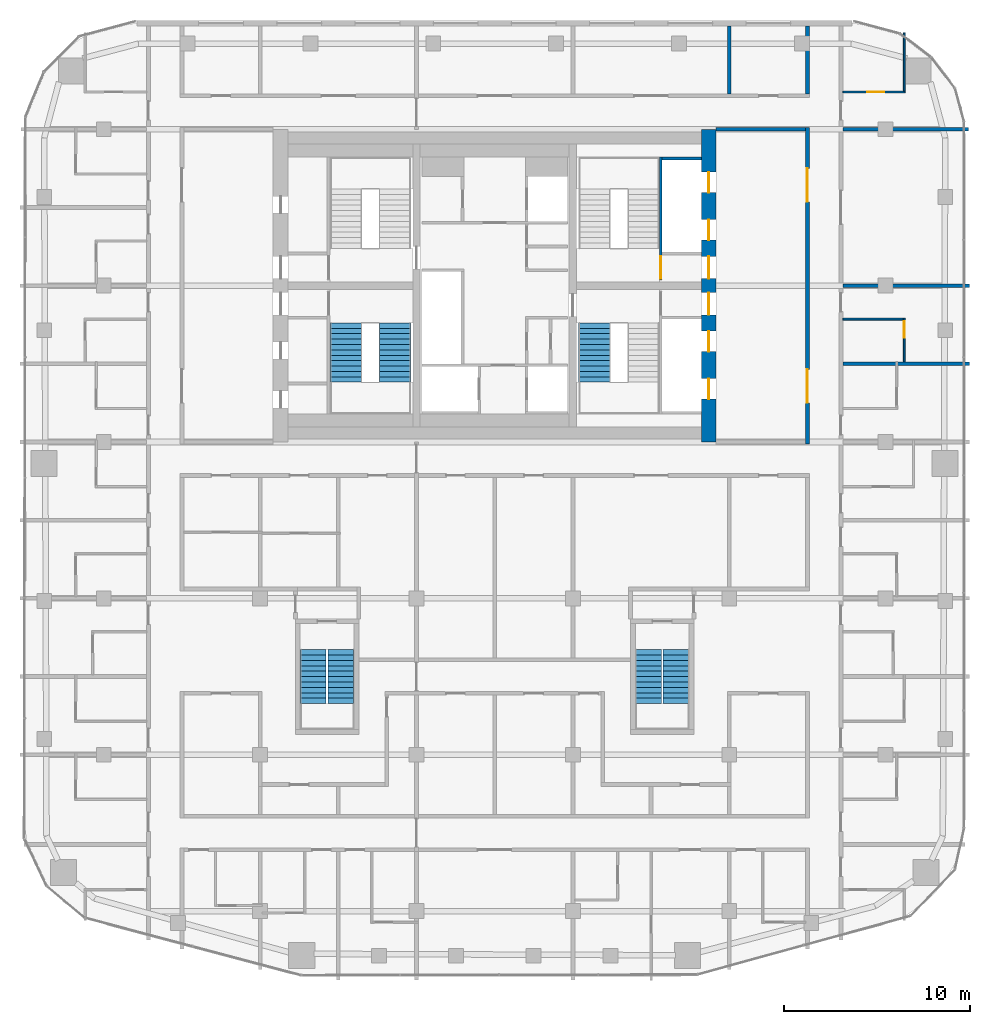
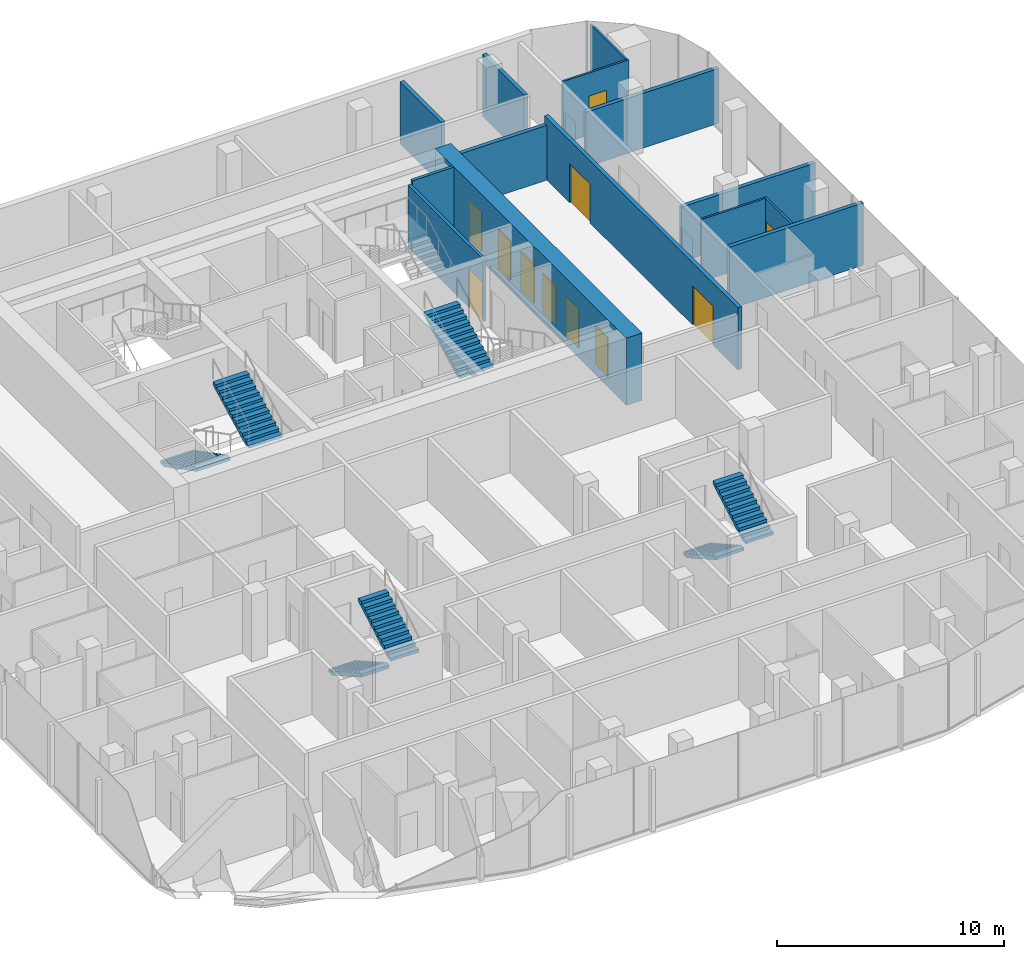
# One storey, part 20 of 22: 14 walls, 11 doors, 7 stair flights, 11 openings, 4 elements without a shape of their own.
"""IFC4 building model written with IfcOpenShell, lengths in metres."""

from ifc_helpers import new_model, si_unit, direction, frame, frame_2d, origin, place, context, subcontext, project, spatial, polyline, rectangle, outline, extrude, material, layer, layer_set, type_object, element, fill, aggregate, save


model = new_model("IFC4")

# Units and contexts
model_context = context("Model", 3, precision=1e-05, world=origin(), true_north=direction((0.0, 1.0)))
body_context = subcontext(model_context, "Body", "Model", "MODEL_VIEW")
ifc_project = project(units=[si_unit("LENGTHUNIT", "METRE"), si_unit("AREAUNIT", "SQUARE_METRE"), si_unit("VOLUMEUNIT", "CUBIC_METRE"), si_unit("PLANEANGLEUNIT", "RADIAN"), si_unit("MASSUNIT", "GRAM", prefix="KILO")], contexts=[model_context])

# Site, building, storey
site_placement = place(None, origin())
site = spatial("IfcSite", under=ifc_project, at=site_placement, CompositionType="ELEMENT")
building_placement = place(site_placement, origin())
building = spatial("IfcBuilding", under=site, at=building_placement, Name="Marenta Gate Hotel Tower", CompositionType="ELEMENT")
storey_placement = place(building_placement, frame((0.0, 0.0, 194.89990234375)))
storey = spatial("IfcBuildingStorey", under=building, at=storey_placement, Name="L44", CompositionType="ELEMENT", Elevation=194.89990234375)

# Wall, openings, doors
ifc_material_1 = material(Name="Concrete blockwork", Category="masonry")
ifc_layer_1 = layer(ifc_material_1, 0.199951171875)
ifc_layer_set_1 = layer_set([ifc_layer_1], Name="Concrete blockwork")
wall_type_1 = type_object("IfcWallType", Name="Core boundary wall 200 REI 180", PredefinedType="PARTITIONING", material=ifc_layer_set_1)
wall_1_placement = place(storey_placement, frame((16.800048828125, -0.10009765625, 0.0), z_axis=(0.0, 0.0, 1.0), x_axis=(0.0, 1.0, 0.0)))
wall_1 = element("IfcWall", 1, at=wall_1_placement, inside=storey, type_object=wall_type_1, Name="L44-CP-BW-E", PredefinedType="PARTITIONING", context=body_context, shape_type="SweptSolid", body=[
    extrude(rectangle(XDim=17.0, YDim=0.199951171875, at=frame_2d((8.5, 0.0))), origin(), (0.0, 0.0, 1.0), 3.340087890625),
])
opening_1_placement = place(wall_1_placement, frame((2.199951171875, 0.0, 0.0)))
opening_1 = element("IfcOpeningElement", 2, at=opening_1_placement, cuts=wall_1, Name="Opening ED-Ea-B", PredefinedType="OPENING", context=body_context, shape_type="SweptSolid", body=[
    extrude(rectangle(XDim=1.800048828125, YDim=2.10009765625, at=frame_2d((0.89990234375, 1.050048828125))), frame((0.0, 0.10009765625, 0.0), z_axis=(0.0, -1.0, 0.0), x_axis=(1.0, 0.0, 0.0)), (0.0, 0.0, 1.0), 0.199951171875),
])
opening_2_placement = place(wall_1_placement, frame((13.0, 0.0, 0.0)))
opening_2 = element("IfcOpeningElement", 3, at=opening_2_placement, cuts=wall_1, Name="Opening ED-Eb-B", PredefinedType="OPENING", context=body_context, shape_type="SweptSolid", body=[
    extrude(rectangle(XDim=1.800048828125, YDim=2.10009765625, at=frame_2d((0.89990234375, 1.050048828125))), frame((0.0, 0.10009765625, 0.0), z_axis=(0.0, -1.0, 0.0), x_axis=(1.0, 0.0, 0.0)), (0.0, 0.0, 1.0), 0.199951171875),
])
ifc_material_2 = material(Name="Steel", Category="steel")
door_type_1 = type_object("IfcDoorType", Name="Core lobby entrance door 1800x2100 EI 60", OperationType="DOUBLE_DOOR_SINGLE_SWING", PredefinedType="DOOR", material=ifc_material_2)
door_1_placement = place(opening_1_placement, origin())
door_1 = element("IfcDoor", 4, at=door_1_placement, inside=storey, type_object=door_type_1, Name="ED-Ea-B", OperationType="DOUBLE_DOOR_SINGLE_SWING", OverallHeight=2.10009765625, OverallWidth=1.800048828125, PredefinedType="DOOR", context=body_context, shape_type="SweptSolid", body=[
    extrude(rectangle(XDim=1.800048828125, YDim=2.10009765625, at=frame_2d((0.89990234375, 1.050048828125))), frame((0.0, 0.02490234375, 0.0), z_axis=(0.0, -1.0, 0.0), x_axis=(1.0, 0.0, 0.0)), (0.0, 0.0, 1.0), 0.050048828125),
])
fill(opening_1, door_1)
door_2_placement = place(opening_2_placement, origin())
door_2 = element("IfcDoor", 5, at=door_2_placement, inside=storey, type_object=door_type_1, Name="ED-Eb-B", OperationType="DOUBLE_DOOR_SINGLE_SWING", OverallHeight=2.10009765625, OverallWidth=1.800048828125, PredefinedType="DOOR", context=body_context, shape_type="SweptSolid", body=[
    extrude(rectangle(XDim=1.800048828125, YDim=2.10009765625, at=frame_2d((0.89990234375, 1.050048828125))), frame((0.0, 0.02490234375, 0.0), z_axis=(0.0, -1.0, 0.0), x_axis=(1.0, 0.0, 0.0)), (0.0, 0.0, 1.0), 0.050048828125),
])
fill(opening_2, door_2)

# Walls
wall_2_placement = place(storey_placement, frame((11.89990234375, 16.800048828125, 0.0), z_axis=(0.0, 0.0, 1.0), x_axis=(1.0, 0.0, 0.0)))
element("IfcWall", 6, at=wall_2_placement, inside=storey, type_object=wall_type_1, Name="L44-CP-EW-EN", PredefinedType="PARTITIONING", context=body_context, shape_type="SweptSolid", body=[
    extrude(rectangle(XDim=4.800048828125, YDim=0.199951171875, at=frame_2d((2.39990234375, 0.0))), origin(), (0.0, 0.0, 1.0), 2.940185546875),
])
ifc_material_3 = material(Name="Concrete C40", Category="concrete")
ifc_layer_2 = layer(ifc_material_3, 0.14990234375)
ifc_layer_set_2 = layer_set([ifc_layer_2], Name="Concrete C40")
wall_type_2 = type_object("IfcWallType", Name="Core shaft wall 150 REI 180", PredefinedType="SHEAR", material=ifc_layer_set_2)
wall_3_placement = place(storey_placement, frame((9.0, 15.22509765625, 0.0), z_axis=(0.0, 0.0, 1.0), x_axis=(1.0, 0.0, 0.0)))
element("IfcWall", 7, at=wall_3_placement, inside=storey, type_object=wall_type_2, Name="L44-SHF-SW-EN-5", PredefinedType="SHEAR", context=body_context, shape_type="SweptSolid", body=[
    extrude(rectangle(XDim=2.10009765625, YDim=0.14990234375, at=frame_2d((1.050048828125, 0.0))), origin(), (0.0, 0.0, 1.0), 3.60009765625),
])

# Wall, opening, door
ifc_material_4 = material(Name="Concrete C40", Category="concrete")
ifc_layer_3 = layer(ifc_material_4, 0.14990234375)
ifc_layer_set_3 = layer_set([ifc_layer_3], Name="Concrete C40")
wall_type_3 = type_object("IfcWallType", Name="Core stair enclosure wall 150 REI 180", PredefinedType="SHEAR", material=ifc_layer_set_3)
wall_4_placement = place(storey_placement, frame((8.925048828125, 8.699951171875, 0.0), z_axis=(0.0, 0.0, 1.0), x_axis=(0.0, 1.0, 0.0)))
wall_4 = element("IfcWall", 8, at=wall_4_placement, inside=storey, type_object=wall_type_3, Name="L44-SHF-SW-EN-3", PredefinedType="SHEAR", context=body_context, shape_type="SweptSolid", body=[
    extrude(rectangle(XDim=6.60009765625, YDim=0.14990234375, at=frame_2d((3.300048828125, 0.0))), origin(), (0.0, 0.0, 1.0), 3.340087890625),
])
opening_3_placement = place(wall_4_placement, frame((0.074951171875, 0.0, 0.0)))
opening_3 = element("IfcOpeningElement", 9, at=opening_3_placement, cuts=wall_4, Name="Opening SD-EN", PredefinedType="OPENING", context=body_context, shape_type="SweptSolid", body=[
    extrude(rectangle(XDim=1.199951171875, YDim=2.10009765625, at=frame_2d((0.60009765625, 1.050048828125))), frame((0.0, 0.074951171875, 0.0), z_axis=(0.0, -1.0, 0.0), x_axis=(1.0, 0.0, 0.0)), (0.0, 0.0, 1.0), 0.14990234375),
])
ifc_material_5 = material(Name="Steel", Category="steel")
door_type_2 = type_object("IfcDoorType", Name="Core stair door 1200x2100 FD60", OperationType="SINGLE_SWING_LEFT", PredefinedType="DOOR", material=ifc_material_5)
door_3_placement = place(opening_3_placement, origin())
door_3 = element("IfcDoor", 10, at=door_3_placement, inside=storey, type_object=door_type_2, Name="SD-EN", OperationType="SINGLE_SWING_LEFT", OverallHeight=2.10009765625, OverallWidth=1.199951171875, PredefinedType="DOOR", context=body_context, shape_type="SweptSolid", body=[
    extrude(rectangle(XDim=1.199951171875, YDim=2.10009765625, at=frame_2d((0.60009765625, 1.050048828125))), frame((0.0, 0.02490234375, 0.0), z_axis=(0.0, -1.0, 0.0), x_axis=(1.0, 0.0, 0.0)), (0.0, 0.0, 1.0), 0.050048828125),
])
fill(opening_3, door_3)

# Wall, openings, doors
ifc_material_6 = material(Name="Concrete C60", Category="concrete")
ifc_layer_4 = layer(ifc_material_6, 0.800048828125)
ifc_layer_set_4 = layer_set([ifc_layer_4], Name="Concrete C60")
wall_type_4 = type_object("IfcWallType", Name="Core wall 800 C60", PredefinedType="SHEAR", material=ifc_layer_set_4)
wall_5_placement = place(storey_placement, frame((11.5, 0.0, 0.0), z_axis=(0.0, 0.0, 1.0), x_axis=(0.0, 1.0, 0.0)))
wall_5 = element("IfcWall", 11, at=wall_5_placement, inside=storey, type_object=wall_type_4, Name="L44-CORE-E", PredefinedType="SHEAR", context=body_context, shape_type="SweptSolid", body=[
    extrude(rectangle(XDim=16.800048828125, YDim=0.800048828125, at=frame_2d((8.39990234375, 0.0))), origin(), (0.0, 0.0, 1.0), 3.60009765625),
])
opening_4_placement = place(wall_5_placement, frame((2.300048828125, 0.0, 0.0)))
opening_4 = element("IfcOpeningElement", 12, at=opening_4_placement, cuts=wall_5, Name="Opening LD-HR1", PredefinedType="OPENING", context=body_context, shape_type="SweptSolid", body=[
    extrude(rectangle(XDim=1.10009765625, YDim=2.10009765625, at=frame_2d((0.550048828125, 1.050048828125))), frame((0.0, 0.39990234375, 0.0), z_axis=(0.0, -1.0, 0.0), x_axis=(1.0, 0.0, 0.0)), (0.0, 0.0, 1.0), 0.800048828125),
])
opening_5_placement = place(wall_5_placement, frame((4.85009765625, 0.0, 0.0)))
opening_5 = element("IfcOpeningElement", 13, at=opening_5_placement, cuts=wall_5, Name="Opening LD-HR2", PredefinedType="OPENING", context=body_context, shape_type="SweptSolid", body=[
    extrude(rectangle(XDim=1.10009765625, YDim=2.10009765625, at=frame_2d((0.550048828125, 1.050048828125))), frame((0.0, 0.39990234375, 0.0), z_axis=(0.0, -1.0, 0.0), x_axis=(1.0, 0.0, 0.0)), (0.0, 0.0, 1.0), 0.800048828125),
])
opening_6_placement = place(wall_5_placement, frame((6.824951171875, 0.0, 0.0)))
opening_6 = element("IfcOpeningElement", 14, at=opening_6_placement, cuts=wall_5, Name="Opening PD-ES", PredefinedType="OPENING", context=body_context, shape_type="SweptSolid", body=[
    extrude(rectangle(XDim=1.199951171875, YDim=2.10009765625, at=frame_2d((0.60009765625, 1.050048828125))), frame((0.0, 0.39990234375, 0.0), z_axis=(0.0, -1.0, 0.0), x_axis=(1.0, 0.0, 0.0)), (0.0, 0.0, 1.0), 0.800048828125),
])
opening_7_placement = place(wall_5_placement, frame((13.39990234375, 0.0, 0.0)))
opening_7 = element("IfcOpeningElement", 15, at=opening_7_placement, cuts=wall_5, Name="Opening LD-HR4", PredefinedType="OPENING", context=body_context, shape_type="SweptSolid", body=[
    extrude(rectangle(XDim=1.10009765625, YDim=2.10009765625, at=frame_2d((0.550048828125, 1.050048828125))), frame((0.0, 0.39990234375, 0.0), z_axis=(0.0, -1.0, 0.0), x_axis=(1.0, 0.0, 0.0)), (0.0, 0.0, 1.0), 0.800048828125),
])
opening_8_placement = place(wall_5_placement, frame((10.85009765625, 0.0, 0.0)))
opening_8 = element("IfcOpeningElement", 16, at=opening_8_placement, cuts=wall_5, Name="Opening LD-HR3", PredefinedType="OPENING", context=body_context, shape_type="SweptSolid", body=[
    extrude(rectangle(XDim=1.10009765625, YDim=2.10009765625, at=frame_2d((0.550048828125, 1.050048828125))), frame((0.0, 0.39990234375, 0.0), z_axis=(0.0, -1.0, 0.0), x_axis=(1.0, 0.0, 0.0)), (0.0, 0.0, 1.0), 0.800048828125),
])
opening_9_placement = place(wall_5_placement, frame((8.77490234375, 0.0, 0.0)))
opening_9 = element("IfcOpeningElement", 17, at=opening_9_placement, cuts=wall_5, Name="Opening PD-EN", PredefinedType="OPENING", context=body_context, shape_type="SweptSolid", body=[
    extrude(rectangle(XDim=1.199951171875, YDim=2.10009765625, at=frame_2d((0.60009765625, 1.050048828125))), frame((0.0, 0.39990234375, 0.0), z_axis=(0.0, -1.0, 0.0), x_axis=(1.0, 0.0, 0.0)), (0.0, 0.0, 1.0), 0.800048828125),
])
ifc_material_7 = material(Name="Steel", Category="steel")
door_type_3 = type_object("IfcDoorType", Name="Core lift landing door 1100x2100 E 60", OperationType="SLIDING_TO_LEFT", PredefinedType="DOOR", material=ifc_material_7)
door_4_placement = place(opening_4_placement, origin())
door_4 = element("IfcDoor", 18, at=door_4_placement, inside=storey, type_object=door_type_3, Name="LD-HR1", OperationType="SLIDING_TO_LEFT", OverallHeight=2.10009765625, OverallWidth=1.10009765625, PredefinedType="DOOR", context=body_context, shape_type="SweptSolid", body=[
    extrude(rectangle(XDim=1.10009765625, YDim=2.10009765625, at=frame_2d((0.550048828125, 1.050048828125))), frame((0.0, 0.02490234375, 0.0), z_axis=(0.0, -1.0, 0.0), x_axis=(1.0, 0.0, 0.0)), (0.0, 0.0, 1.0), 0.050048828125),
])
fill(opening_4, door_4)
door_5_placement = place(opening_5_placement, origin())
door_5 = element("IfcDoor", 19, at=door_5_placement, inside=storey, type_object=door_type_3, Name="LD-HR2", OperationType="SLIDING_TO_LEFT", OverallHeight=2.10009765625, OverallWidth=1.10009765625, PredefinedType="DOOR", context=body_context, shape_type="SweptSolid", body=[
    extrude(rectangle(XDim=1.10009765625, YDim=2.10009765625, at=frame_2d((0.550048828125, 1.050048828125))), frame((0.0, 0.02490234375, 0.0), z_axis=(0.0, -1.0, 0.0), x_axis=(1.0, 0.0, 0.0)), (0.0, 0.0, 1.0), 0.050048828125),
])
fill(opening_5, door_5)
door_6_placement = place(opening_7_placement, origin())
door_6 = element("IfcDoor", 20, at=door_6_placement, inside=storey, type_object=door_type_3, Name="LD-HR4", OperationType="SLIDING_TO_LEFT", OverallHeight=2.10009765625, OverallWidth=1.10009765625, PredefinedType="DOOR", context=body_context, shape_type="SweptSolid", body=[
    extrude(rectangle(XDim=1.10009765625, YDim=2.10009765625, at=frame_2d((0.550048828125, 1.050048828125))), frame((0.0, 0.02490234375, 0.0), z_axis=(0.0, -1.0, 0.0), x_axis=(1.0, 0.0, 0.0)), (0.0, 0.0, 1.0), 0.050048828125),
])
fill(opening_7, door_6)
door_7_placement = place(opening_8_placement, origin())
door_7 = element("IfcDoor", 21, at=door_7_placement, inside=storey, type_object=door_type_3, Name="LD-HR3", OperationType="SLIDING_TO_LEFT", OverallHeight=2.10009765625, OverallWidth=1.10009765625, PredefinedType="DOOR", context=body_context, shape_type="SweptSolid", body=[
    extrude(rectangle(XDim=1.10009765625, YDim=2.10009765625, at=frame_2d((0.550048828125, 1.050048828125))), frame((0.0, 0.02490234375, 0.0), z_axis=(0.0, -1.0, 0.0), x_axis=(1.0, 0.0, 0.0)), (0.0, 0.0, 1.0), 0.050048828125),
])
fill(opening_8, door_7)
ifc_material_8 = material(Name="Steel", Category="steel")
door_type_4 = type_object("IfcDoorType", Name="Core lobby door 1200x2100 FD60", OperationType="SINGLE_SWING_LEFT", PredefinedType="DOOR", material=ifc_material_8)
door_8_placement = place(opening_6_placement, origin())
door_8 = element("IfcDoor", 22, at=door_8_placement, inside=storey, type_object=door_type_4, Name="PD-ES", OperationType="SINGLE_SWING_LEFT", OverallHeight=2.10009765625, OverallWidth=1.199951171875, PredefinedType="DOOR", context=body_context, shape_type="SweptSolid", body=[
    extrude(rectangle(XDim=1.199951171875, YDim=2.10009765625, at=frame_2d((0.60009765625, 1.050048828125))), frame((0.0, 0.02490234375, 0.0), z_axis=(0.0, -1.0, 0.0), x_axis=(1.0, 0.0, 0.0)), (0.0, 0.0, 1.0), 0.050048828125),
])
fill(opening_6, door_8)
door_9_placement = place(opening_9_placement, origin())
door_9 = element("IfcDoor", 23, at=door_9_placement, inside=storey, type_object=door_type_4, Name="PD-EN", OperationType="SINGLE_SWING_LEFT", OverallHeight=2.10009765625, OverallWidth=1.199951171875, PredefinedType="DOOR", context=body_context, shape_type="SweptSolid", body=[
    extrude(rectangle(XDim=1.199951171875, YDim=2.10009765625, at=frame_2d((0.60009765625, 1.050048828125))), frame((0.0, 0.02490234375, 0.0), z_axis=(0.0, -1.0, 0.0), x_axis=(1.0, 0.0, 0.0)), (0.0, 0.0, 1.0), 0.050048828125),
])
fill(opening_9, door_9)

# Wall
ifc_material_9 = material(Name="Gypsum board on steel stud", Category="steel")
ifc_layer_5 = layer(ifc_material_9, 0.199951171875)
ifc_layer_set_5 = layer_set([ifc_layer_5], Name="Gypsum board on steel stud")
wall_type_5 = type_object("IfcWallType", Name="Room corridor wall 200 EI 60", PredefinedType="PARTITIONING", material=ifc_layer_set_5)
wall_6_placement = place(storey_placement, frame((16.800048828125, 18.699951171875, 0.0), z_axis=(0.0, 0.0, 1.0), x_axis=(0.0, 1.0, 0.0)))
element("IfcWall", 24, at=wall_6_placement, inside=storey, type_object=wall_type_5, Name="L44-PTN-W029", PredefinedType="PARTITIONING", context=body_context, shape_type="SweptSolid", body=[
    extrude(rectangle(XDim=3.64013671875, YDim=0.199951171875, at=frame_2d((1.820068359375, 0.0))), origin(), (0.0, 0.0, 1.0), 3.340087890625),
])

# Wall, opening, door
ifc_material_10 = material(Name="Gypsum board on steel stud", Category="steel")
ifc_layer_6 = layer(ifc_material_10, 0.10009765625)
ifc_layer_set_6 = layer_set([ifc_layer_6], Name="Gypsum board on steel stud")
wall_type_6 = type_object("IfcWallType", Name="Room partition 100", PredefinedType="PARTITIONING", material=ifc_layer_set_6)
wall_7_placement = place(storey_placement, frame((22.0, 4.300048828125, 0.0), z_axis=(0.0, 0.0, 1.0), x_axis=(0.0, 1.0, 0.0)))
wall_7 = element("IfcWall", 25, at=wall_7_placement, inside=storey, type_object=wall_type_6, Name="L44-PTN-W011", PredefinedType="PARTITIONING", context=body_context, shape_type="SweptSolid", body=[
    extrude(rectangle(XDim=2.349853515625, YDim=0.10009765625, at=frame_2d((1.1748046875, 0.0))), origin(), (0.0, 0.0, 1.0), 3.340087890625),
])
opening_10_placement = place(wall_7_placement, frame((1.300048828125, 0.0, 0.0)))
opening_10 = element("IfcOpeningElement", 26, at=opening_10_placement, cuts=wall_7, Name="Opening G15-33", PredefinedType="OPENING", context=body_context, shape_type="SweptSolid", body=[
    extrude(rectangle(XDim=0.89990234375, YDim=2.10009765625, at=frame_2d((0.449951171875, 1.050048828125))), frame((0.0, 0.050048828125, 0.0), z_axis=(0.0, -1.0, 0.0), x_axis=(1.0, 0.0, 0.0)), (0.0, 0.0, 1.0), 0.10009765625),
])
ifc_material_11 = material(Name="Timber door leaf", Category="wood")
door_type_5 = type_object("IfcDoorType", Name="Guest bathroom door 900x2100", OperationType="NOTDEFINED", PredefinedType="DOOR", material=ifc_material_11)
door_10_placement = place(opening_10_placement, origin())
door_10 = element("IfcDoor", 27, at=door_10_placement, inside=storey, type_object=door_type_5, Name="L44-PD-D033", OperationType="SINGLE_SWING_RIGHT", OverallHeight=2.10009765625, OverallWidth=0.89990234375, PredefinedType="DOOR", context=body_context, shape_type="SweptSolid", body=[
    extrude(rectangle(XDim=0.89990234375, YDim=2.10009765625, at=frame_2d((0.449951171875, 1.050048828125))), frame((0.0, 0.02490234375, 0.0), z_axis=(0.0, -1.0, 0.0), x_axis=(1.0, 0.0, 0.0)), (0.0, 0.0, 1.0), 0.050048828125),
])
fill(opening_10, door_10)

# Walls
wall_8_placement = place(storey_placement, frame((22.0, 18.85009765625, 0.0), z_axis=(0.0, 0.0, 1.0), x_axis=(0.0, 1.0, 0.0)))
element("IfcWall", 28, at=wall_8_placement, inside=storey, type_object=wall_type_6, Name="L44-PTN-W012", PredefinedType="PARTITIONING", context=body_context, shape_type="SweptSolid", body=[
    extrude(rectangle(XDim=3.12890625, YDim=0.10009765625, at=frame_2d((1.564453125, 0.0))), origin(), (0.0, 0.0, 1.0), 3.340087890625),
])
wall_9_placement = place(storey_placement, frame((18.699951171875, 6.60009765625, 0.0), z_axis=(0.0, 0.0, 1.0), x_axis=(1.0, 0.0, 0.0)))
element("IfcWall", 29, at=wall_9_placement, inside=storey, type_object=wall_type_6, Name="L44-PTN-W088", PredefinedType="PARTITIONING", context=body_context, shape_type="SweptSolid", body=[
    extrude(rectangle(XDim=3.25, YDim=0.10009765625, at=frame_2d((1.625, 0.0))), origin(), (0.0, 0.0, 1.0), 3.340087890625),
])

# Wall, opening, door
wall_10_placement = place(storey_placement, frame((18.699951171875, 18.800048828125, 0.0), z_axis=(0.0, 0.0, 1.0), x_axis=(1.0, 0.0, 0.0)))
wall_10 = element("IfcWall", 30, at=wall_10_placement, inside=storey, type_object=wall_type_6, Name="L44-PTN-W115", PredefinedType="PARTITIONING", context=body_context, shape_type="SweptSolid", body=[
    extrude(rectangle(XDim=3.35009765625, YDim=0.10009765625, at=frame_2d((1.675048828125, 0.0))), origin(), (0.0, 0.0, 1.0), 3.340087890625),
])
opening_11_placement = place(wall_10_placement, frame((1.320068359375, 0.0, 0.0)))
opening_11 = element("IfcOpeningElement", 31, at=opening_11_placement, cuts=wall_10, Name="Opening G15-36", PredefinedType="OPENING", context=body_context, shape_type="SweptSolid", body=[
    extrude(rectangle(XDim=0.89990234375, YDim=2.10009765625, at=frame_2d((0.449951171875, 1.050048828125))), frame((0.0, 0.050048828125, 0.0), z_axis=(0.0, -1.0, 0.0), x_axis=(1.0, 0.0, 0.0)), (0.0, 0.0, 1.0), 0.10009765625),
])
door_11_placement = place(opening_11_placement, origin())
door_11 = element("IfcDoor", 32, at=door_11_placement, inside=storey, type_object=door_type_5, Name="L44-PD-D036", OperationType="SINGLE_SWING_RIGHT", OverallHeight=2.10009765625, OverallWidth=0.89990234375, PredefinedType="DOOR", context=body_context, shape_type="SweptSolid", body=[
    extrude(rectangle(XDim=0.89990234375, YDim=2.10009765625, at=frame_2d((0.449951171875, 1.050048828125))), frame((0.0, 0.02490234375, 0.0), z_axis=(0.0, -1.0, 0.0), x_axis=(1.0, 0.0, 0.0)), (0.0, 0.0, 1.0), 0.050048828125),
])
fill(opening_11, door_11)

# Walls
ifc_material_12 = material(Name="Gypsum board on steel stud", Category="steel")
ifc_layer_7 = layer(ifc_material_12, 0.199951171875)
ifc_layer_set_7 = layer_set([ifc_layer_7], Name="Gypsum board on steel stud")
wall_type_7 = type_object("IfcWallType", Name="Room party wall 200 EI 60", PredefinedType="PARTITIONING", material=ifc_layer_set_7)
wall_11_placement = place(storey_placement, frame((12.60009765625, 18.699951171875, 0.0), z_axis=(0.0, 0.0, 1.0), x_axis=(0.0, 1.0, 0.0)))
element("IfcWall", 33, at=wall_11_placement, inside=storey, type_object=wall_type_7, Name="L44-PTN-W041", PredefinedType="PARTITIONING", context=body_context, shape_type="SweptSolid", body=[
    extrude(rectangle(XDim=3.64013671875, YDim=0.199951171875, at=frame_2d((1.820068359375, 0.0))), origin(), (0.0, 0.0, 1.0), 3.340087890625),
])
wall_12_placement = place(storey_placement, frame((18.699951171875, 4.199951171875, 0.0), z_axis=(0.0, 0.0, 1.0), x_axis=(1.0, 0.0, 0.0)))
element("IfcWall", 34, at=wall_12_placement, inside=storey, type_object=wall_type_7, Name="L44-PTN-W084", PredefinedType="PARTITIONING", context=body_context, shape_type="SweptSolid", body=[
    extrude(rectangle(XDim=6.800048828125, YDim=0.199951171875, at=frame_2d((3.39990234375, 0.0))), origin(), (0.0, 0.0, 1.0), 3.340087890625),
])
wall_13_placement = place(storey_placement, frame((18.699951171875, 8.39990234375, 0.0), z_axis=(0.0, 0.0, 1.0), x_axis=(1.0, 0.0, 0.0)))
element("IfcWall", 35, at=wall_13_placement, inside=storey, type_object=wall_type_7, Name="L44-PTN-W094", PredefinedType="PARTITIONING", context=body_context, shape_type="SweptSolid", body=[
    extrude(rectangle(XDim=6.800048828125, YDim=0.199951171875, at=frame_2d((3.39990234375, 0.0))), origin(), (0.0, 0.0, 1.0), 2.940185546875),
])
wall_14_placement = place(storey_placement, frame((18.699951171875, 16.800048828125, 0.0), z_axis=(0.0, 0.0, 1.0), x_axis=(1.0, 0.0, 0.0)))
element("IfcWall", 36, at=wall_14_placement, inside=storey, type_object=wall_type_7, Name="L44-PTN-W111", PredefinedType="PARTITIONING", context=body_context, shape_type="SweptSolid", body=[
    extrude(rectangle(XDim=6.7470703125, YDim=0.199951171875, at=frame_2d((3.37353515625, 0.0))), origin(), (0.0, 0.0, 1.0), 2.940185546875),
])

# Stair, stair flights
ifc_material_13 = material(Name="Concrete C40", Category="concrete")
stair_type_1 = type_object("IfcStairType", Name="Core exit stair 1700 wide", PredefinedType="HALF_TURN_STAIR", material=ifc_material_13)
stair_1_placement = place(storey_placement, origin())
stair_1 = element("IfcStair", 37, at=stair_1_placement, inside=storey, type_object=stair_type_1, Name="Exit stair 1", PredefinedType="HALF_TURN_STAIR")
ifc_material_14 = material(Name="Concrete C40", Category="concrete")
stair_flight_type_1 = type_object("IfcStairFlightType", Name="Core stair flight 1700 riser 150.0 going 290", PredefinedType="STRAIGHT", material=ifc_material_14)
stair_flight_1_placement = place(storey_placement, frame((-8.0, 6.39990234375, 0.0), z_axis=(0.0, 0.0, 1.0), x_axis=(0.0, -1.0, 0.0)))
stair_flight_1 = element("IfcStairFlight", 38, at=stair_flight_1_placement, type_object=stair_flight_type_1, Name="ST1 flight 1", NumberOfRisers=12, NumberOfTreads=11, PredefinedType="STRAIGHT", RiserHeight=0.15, TreadLength=0.29, context=body_context, shape_type="SweptSolid", body=[
    extrude(outline(polyline([(0.0, 0.0), (0.0, 0.14990234375), (0.2900390625, 0.14990234375), (0.2900390625, 0.300048828125), (0.580078125, 0.300048828125), (0.580078125, 0.449951171875), (0.8701171875, 0.449951171875), (0.8701171875, 0.60009765625), (1.159912109375, 0.60009765625), (1.159912109375, 0.75), (1.449951171875, 0.75), (1.449951171875, 0.89990234375), (1.739990234375, 0.89990234375), (1.739990234375, 1.050048828125), (2.030029296875, 1.050048828125), (2.030029296875, 1.199951171875), (2.320068359375, 1.199951171875), (2.320068359375, 1.35009765625), (2.610107421875, 1.35009765625), (2.610107421875, 1.5), (2.89990234375, 1.5), (2.89990234375, 1.64990234375), (3.18994140625, 1.64990234375), (3.18994140625, 1.800048828125), (3.18994140625, 1.481201171875), (0.326171875, 0.0), (0.0, 0.0)])), frame((0.0, 0.85009765625, 0.0), z_axis=(0.0, -1.0, 0.0), x_axis=(1.0, 0.0, 0.0)), (0.0, 0.0, 1.0), 1.699951171875),
])
stair_flight_2_placement = place(storey_placement, frame((-5.35009765625, 3.2099609375, 1.800048828125), z_axis=(0.0, 0.0, 1.0), x_axis=(0.0, 1.0, 0.0)))
stair_flight_2 = element("IfcStairFlight", 39, at=stair_flight_2_placement, type_object=stair_flight_type_1, Name="ST1 flight 2", NumberOfRisers=12, NumberOfTreads=11, PredefinedType="STRAIGHT", RiserHeight=0.15, TreadLength=0.29, context=body_context, shape_type="SweptSolid", body=[
    extrude(outline(polyline([(0.0, 0.0), (0.0, 0.14990234375), (0.2900390625, 0.14990234375), (0.2900390625, 0.300048828125), (0.580078125, 0.300048828125), (0.580078125, 0.449951171875), (0.8701171875, 0.449951171875), (0.8701171875, 0.60009765625), (1.159912109375, 0.60009765625), (1.159912109375, 0.75), (1.449951171875, 0.75), (1.449951171875, 0.89990234375), (1.739990234375, 0.89990234375), (1.739990234375, 1.050048828125), (2.030029296875, 1.050048828125), (2.030029296875, 1.199951171875), (2.320068359375, 1.199951171875), (2.320068359375, 1.35009765625), (2.610107421875, 1.35009765625), (2.610107421875, 1.5), (2.89990234375, 1.5), (2.89990234375, 1.64990234375), (3.18994140625, 1.64990234375), (3.18994140625, 1.800048828125), (3.18994140625, 1.481201171875), (0.326171875, 0.0), (0.0, 0.0)])), frame((0.0, 0.85009765625, 0.0), z_axis=(0.0, -1.0, 0.0), x_axis=(1.0, 0.0, 0.0)), (0.0, 0.0, 1.0), 1.699951171875),
])
aggregate(stair_1, [stair_flight_1, stair_flight_2])

# Stair, stair flight
stair_2_placement = place(storey_placement, origin())
stair_2 = element("IfcStair", 40, at=stair_2_placement, inside=storey, type_object=stair_type_1, Name="Exit stair 3", PredefinedType="HALF_TURN_STAIR")
stair_flight_3_placement = place(storey_placement, frame((5.35009765625, 3.2099609375, 1.800048828125), z_axis=(0.0, 0.0, 1.0), x_axis=(0.0, 1.0, 0.0)))
stair_flight_3 = element("IfcStairFlight", 41, at=stair_flight_3_placement, type_object=stair_flight_type_1, Name="ST3 flight 2", NumberOfRisers=12, NumberOfTreads=11, PredefinedType="STRAIGHT", RiserHeight=0.15, TreadLength=0.29, context=body_context, shape_type="SweptSolid", body=[
    extrude(outline(polyline([(0.0, 0.0), (0.0, 0.14990234375), (0.2900390625, 0.14990234375), (0.2900390625, 0.300048828125), (0.580078125, 0.300048828125), (0.580078125, 0.449951171875), (0.8701171875, 0.449951171875), (0.8701171875, 0.60009765625), (1.159912109375, 0.60009765625), (1.159912109375, 0.75), (1.449951171875, 0.75), (1.449951171875, 0.89990234375), (1.739990234375, 0.89990234375), (1.739990234375, 1.050048828125), (2.030029296875, 1.050048828125), (2.030029296875, 1.199951171875), (2.320068359375, 1.199951171875), (2.320068359375, 1.35009765625), (2.610107421875, 1.35009765625), (2.610107421875, 1.5), (2.89990234375, 1.5), (2.89990234375, 1.64990234375), (3.18994140625, 1.64990234375), (3.18994140625, 1.800048828125), (3.18994140625, 1.481201171875), (0.326171875, 0.0), (0.0, 0.0)])), frame((0.0, 0.85009765625, 0.0), z_axis=(0.0, -1.0, 0.0), x_axis=(1.0, 0.0, 0.0)), (0.0, 0.0, 1.0), 1.699951171875),
])
aggregate(stair_2, [stair_flight_3])

# Stair, stair flights
ifc_material_15 = material(Name="Concrete C40", Category="concrete")
stair_type_2 = type_object("IfcStairType", Name="Remote exit stair 1400 wide", PredefinedType="HALF_TURN_STAIR", material=ifc_material_15)
stair_3_placement = place(storey_placement, origin())
stair_3 = element("IfcStair", 42, at=stair_3_placement, inside=storey, type_object=stair_type_2, Name="Exit stair RS-Z3-1", PredefinedType="HALF_TURN_STAIR")
ifc_material_16 = material(Name="Concrete C40", Category="concrete")
stair_flight_type_2 = type_object("IfcStairFlightType", Name="Remote stair flight 1400 riser 163.6 going 290", PredefinedType="STRAIGHT", material=ifc_material_16)
stair_flight_4_placement = place(storey_placement, frame((-9.75, -11.14990234375, 0.0), z_axis=(0.0, 0.0, 1.0), x_axis=(0.0, -1.0, 0.0)))
stair_flight_4 = element("IfcStairFlight", 43, at=stair_flight_4_placement, type_object=stair_flight_type_2, Name="RS-Z3-1 flight 1", NumberOfRisers=11, NumberOfTreads=10, PredefinedType="STRAIGHT", RiserHeight=0.163636, TreadLength=0.29, context=body_context, shape_type="SweptSolid", body=[
    extrude(outline(polyline([(0.0, 0.0), (0.0, 0.16357421875), (0.2900390625, 0.16357421875), (0.2900390625, 0.327392578125), (0.580078125, 0.327392578125), (0.580078125, 0.490966796875), (0.8701171875, 0.490966796875), (0.8701171875, 0.654541015625), (1.159912109375, 0.654541015625), (1.159912109375, 0.818115234375), (1.449951171875, 0.818115234375), (1.449951171875, 0.98193359375), (1.739990234375, 0.98193359375), (1.739990234375, 1.1455078125), (2.030029296875, 1.1455078125), (2.030029296875, 1.30908203125), (2.320068359375, 1.30908203125), (2.320068359375, 1.47265625), (2.610107421875, 1.47265625), (2.610107421875, 1.636474609375), (2.89990234375, 1.636474609375), (2.89990234375, 1.800048828125), (2.89990234375, 1.46435546875), (0.304931640625, 0.0), (0.0, 0.0)])), frame((0.0, 0.699951171875, 0.0), z_axis=(0.0, -1.0, 0.0), x_axis=(1.0, 0.0, 0.0)), (0.0, 0.0, 1.0), 1.39990234375),
])
stair_flight_5_placement = place(storey_placement, frame((-8.25, -14.050048828125, 1.800048828125), z_axis=(0.0, 0.0, 1.0), x_axis=(0.0, 1.0, 0.0)))
stair_flight_5 = element("IfcStairFlight", 44, at=stair_flight_5_placement, type_object=stair_flight_type_2, Name="RS-Z3-1 flight 2", NumberOfRisers=11, NumberOfTreads=10, PredefinedType="STRAIGHT", RiserHeight=0.163636, TreadLength=0.29, context=body_context, shape_type="SweptSolid", body=[
    extrude(outline(polyline([(0.0, 0.0), (0.0, 0.16357421875), (0.2900390625, 0.16357421875), (0.2900390625, 0.327392578125), (0.580078125, 0.327392578125), (0.580078125, 0.490966796875), (0.8701171875, 0.490966796875), (0.8701171875, 0.654541015625), (1.159912109375, 0.654541015625), (1.159912109375, 0.818115234375), (1.449951171875, 0.818115234375), (1.449951171875, 0.98193359375), (1.739990234375, 0.98193359375), (1.739990234375, 1.1455078125), (2.030029296875, 1.1455078125), (2.030029296875, 1.30908203125), (2.320068359375, 1.30908203125), (2.320068359375, 1.47265625), (2.610107421875, 1.47265625), (2.610107421875, 1.636474609375), (2.89990234375, 1.636474609375), (2.89990234375, 1.800048828125), (2.89990234375, 1.46435546875), (0.304931640625, 0.0), (0.0, 0.0)])), frame((0.0, 0.699951171875, 0.0), z_axis=(0.0, -1.0, 0.0), x_axis=(1.0, 0.0, 0.0)), (0.0, 0.0, 1.0), 1.39990234375),
])
aggregate(stair_3, [stair_flight_4, stair_flight_5])

stair_4_placement = place(storey_placement, origin())
stair_4 = element("IfcStair", 45, at=stair_4_placement, inside=storey, type_object=stair_type_2, Name="Exit stair RS-Z3-2", PredefinedType="HALF_TURN_STAIR")
stair_flight_6_placement = place(storey_placement, frame((8.25, -11.14990234375, 0.0), z_axis=(0.0, 0.0, 1.0), x_axis=(0.0, -1.0, 0.0)))
stair_flight_6 = element("IfcStairFlight", 46, at=stair_flight_6_placement, type_object=stair_flight_type_2, Name="RS-Z3-2 flight 1", NumberOfRisers=11, NumberOfTreads=10, PredefinedType="STRAIGHT", RiserHeight=0.163636, TreadLength=0.29, context=body_context, shape_type="SweptSolid", body=[
    extrude(outline(polyline([(0.0, 0.0), (0.0, 0.16357421875), (0.2900390625, 0.16357421875), (0.2900390625, 0.327392578125), (0.580078125, 0.327392578125), (0.580078125, 0.490966796875), (0.8701171875, 0.490966796875), (0.8701171875, 0.654541015625), (1.159912109375, 0.654541015625), (1.159912109375, 0.818115234375), (1.449951171875, 0.818115234375), (1.449951171875, 0.98193359375), (1.739990234375, 0.98193359375), (1.739990234375, 1.1455078125), (2.030029296875, 1.1455078125), (2.030029296875, 1.30908203125), (2.320068359375, 1.30908203125), (2.320068359375, 1.47265625), (2.610107421875, 1.47265625), (2.610107421875, 1.636474609375), (2.89990234375, 1.636474609375), (2.89990234375, 1.800048828125), (2.89990234375, 1.46435546875), (0.304931640625, 0.0), (0.0, 0.0)])), frame((0.0, 0.699951171875, 0.0), z_axis=(0.0, -1.0, 0.0), x_axis=(1.0, 0.0, 0.0)), (0.0, 0.0, 1.0), 1.39990234375),
])
stair_flight_7_placement = place(storey_placement, frame((9.75, -14.050048828125, 1.800048828125), z_axis=(0.0, 0.0, 1.0), x_axis=(0.0, 1.0, 0.0)))
stair_flight_7 = element("IfcStairFlight", 47, at=stair_flight_7_placement, type_object=stair_flight_type_2, Name="RS-Z3-2 flight 2", NumberOfRisers=11, NumberOfTreads=10, PredefinedType="STRAIGHT", RiserHeight=0.163636, TreadLength=0.29, context=body_context, shape_type="SweptSolid", body=[
    extrude(outline(polyline([(0.0, 0.0), (0.0, 0.16357421875), (0.2900390625, 0.16357421875), (0.2900390625, 0.327392578125), (0.580078125, 0.327392578125), (0.580078125, 0.490966796875), (0.8701171875, 0.490966796875), (0.8701171875, 0.654541015625), (1.159912109375, 0.654541015625), (1.159912109375, 0.818115234375), (1.449951171875, 0.818115234375), (1.449951171875, 0.98193359375), (1.739990234375, 0.98193359375), (1.739990234375, 1.1455078125), (2.030029296875, 1.1455078125), (2.030029296875, 1.30908203125), (2.320068359375, 1.30908203125), (2.320068359375, 1.47265625), (2.610107421875, 1.47265625), (2.610107421875, 1.636474609375), (2.89990234375, 1.636474609375), (2.89990234375, 1.800048828125), (2.89990234375, 1.46435546875), (0.304931640625, 0.0), (0.0, 0.0)])), frame((0.0, 0.699951171875, 0.0), z_axis=(0.0, -1.0, 0.0), x_axis=(1.0, 0.0, 0.0)), (0.0, 0.0, 1.0), 1.39990234375),
])
aggregate(stair_4, [stair_flight_6, stair_flight_7])

save(model, "model.ifc")
